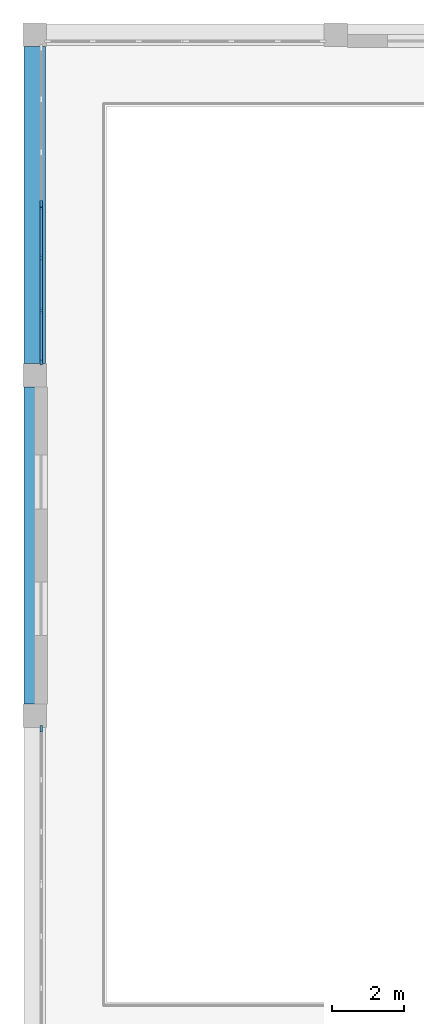
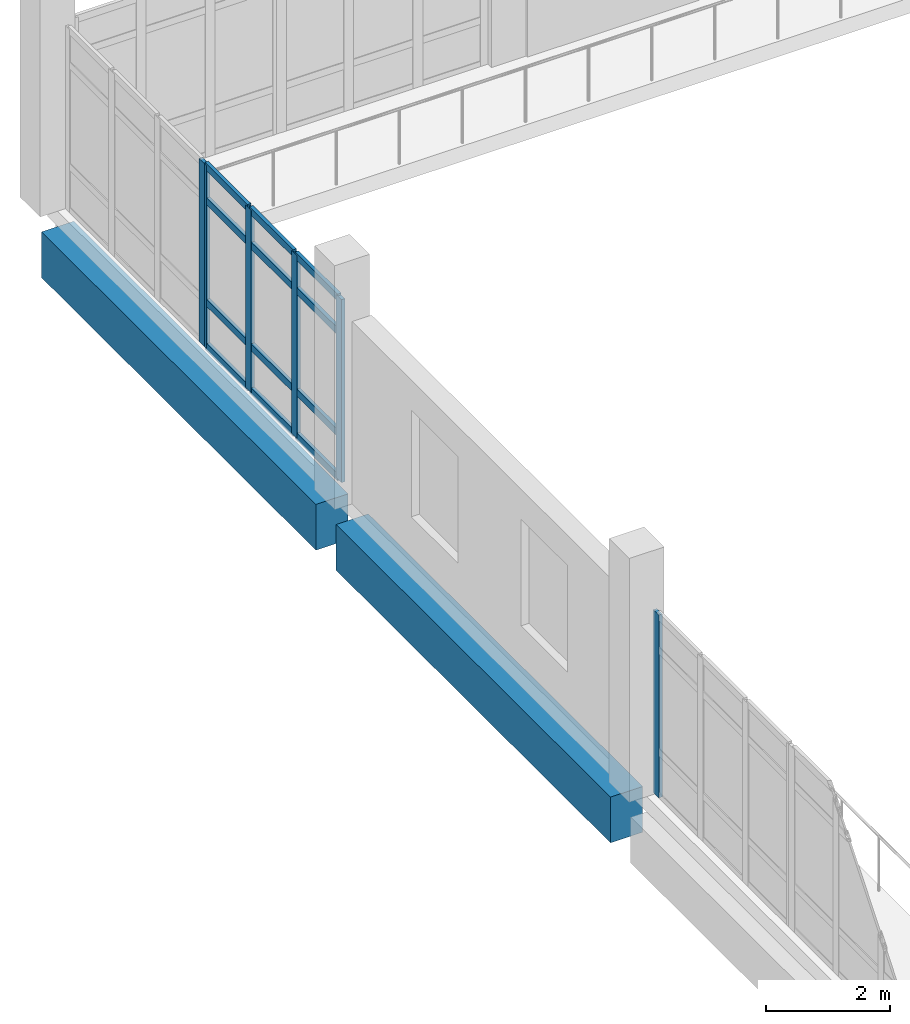
# One storey, part 20 of 73: 18 members, 2 beams, 3 elements without a shape of their own.
"""IFC4 building model written with IfcOpenShell, lengths in metres."""

from ifc_helpers import new_model, si_unit, direction, frame, origin, origin_2d, place, context, subcontext, project, spatial, rectangle, extrude, material, layer, layer_set, material_profile, profile_set, type_object, element, aggregate, save


model = new_model("IFC4")

# Units and contexts
model_context = context("Model", 3, precision=1e-05, world=origin(), true_north=direction((0.0, 1.0)))
body_context = subcontext(model_context, "Body", "Model", "MODEL_VIEW")
ifc_project = project(units=[si_unit("LENGTHUNIT", "METRE"), si_unit("AREAUNIT", "SQUARE_METRE"), si_unit("VOLUMEUNIT", "CUBIC_METRE"), si_unit("PLANEANGLEUNIT", "RADIAN"), si_unit("MASSUNIT", "GRAM", prefix="KILO")], contexts=[model_context])

# Site, building, storey
site_placement = place(None, origin())
site = spatial("IfcSite", under=ifc_project, at=site_placement, CompositionType="ELEMENT")
building_placement = place(site_placement, origin())
building = spatial("IfcBuilding", under=site, at=building_placement, Name="Kelarvand Opera House", CompositionType="ELEMENT")
storey_placement = place(building_placement, frame((0.0, 0.0, 10.199951171875)))
storey = spatial("IfcBuildingStorey", under=building, at=storey_placement, Name="L02", CompositionType="ELEMENT", Elevation=10.199951171875)

# Curtain wall, member
ifc_material_1 = material(Name="Thermally broken aluminium and low-E glazing", Category="aluminium")
ifc_layer_1 = layer(ifc_material_1, 0.179931640625, Name="Thermally broken aluminium and low-E glazing", Category="aluminium")
ifc_layer_set_1 = layer_set([ifc_layer_1], Name="Thermally broken aluminium and low-E glazing")
curtain_wall_type_1 = type_object("IfcCurtainWallType", Name="Unitised Low-E Curtain Wall 4326x3600 Mod 1350 CWF-15", PredefinedType="USERDEFINED", material=ifc_layer_set_1)
curtain_wall_1_placement = place(storey_placement, origin())
curtain_wall_1 = element("IfcCurtainWall", 1, at=curtain_wall_1_placement, inside=storey, type_object=curtain_wall_type_1, Name="V3 L02 Curtain Wall CWF-15 (78)", ObjectType="UNITISED CURTAIN WALL", PredefinedType="USERDEFINED")
ifc_material_2 = material(Name="Thermally broken anodised aluminium", Category="aluminium")
ifc_material_profile_1 = material_profile(ifc_material_2, rectangle(XDim=0.06494140625, YDim=0.179931640625, at=origin_2d()), Name="ALU MULLION 65x180", Category="aluminium")
ifc_profile_set_1 = profile_set([ifc_material_profile_1], Name="Thermally broken anodised aluminium")
member_type_1 = type_object("IfcMemberType", Name="Curtain Wall Mullion 65x180 Aluminium", PredefinedType="MULLION", material=ifc_profile_set_1)
member_1_placement = place(storey_placement, frame((9.179931640625, 105.632568359375, 0.0), z_axis=(0.0, 0.0, 1.0), x_axis=(-1.0, 0.0, 0.0)))
member_1 = element("IfcMember", 2, at=member_1_placement, type_object=member_type_1, Name="CWF-15 mullion 4", PredefinedType="MULLION", context=body_context, shape_type="SweptSolid", body=[
    extrude(rectangle(XDim=0.06494140625, YDim=0.179931640625, at=origin_2d()), origin(), (0.0, 0.0, 1.0), 3.60009765625),
])
aggregate(curtain_wall_1, [member_1])

# Curtain wall, members
ifc_layer_2 = layer(ifc_material_1, 0.179931640625, Name="Thermally broken aluminium and low-E glazing", Category="aluminium")
ifc_layer_set_2 = layer_set([ifc_layer_2], Name="Thermally broken aluminium and low-E glazing")
curtain_wall_type_2 = type_object("IfcCurtainWallType", Name="Unitised Low-E Curtain Wall 4411x3600 Mod 1350 CWF-19", PredefinedType="USERDEFINED", material=ifc_layer_set_2)
curtain_wall_2_placement = place(storey_placement, origin())
curtain_wall_2 = element("IfcCurtainWall", 3, at=curtain_wall_2_placement, inside=storey, type_object=curtain_wall_type_2, Name="V3 L02 Curtain Wall CWF-19 (79)", ObjectType="UNITISED CURTAIN WALL", PredefinedType="USERDEFINED")
member_2_placement = place(storey_placement, frame((9.179931640625, 115.867431640625, 0.0), z_axis=(0.0, 0.0, 1.0), x_axis=(-1.0, 0.0, 0.0)))
member_2 = element("IfcMember", 4, at=member_2_placement, type_object=member_type_1, Name="CWF-19 mullion 1", PredefinedType="MULLION", context=body_context, shape_type="SweptSolid", body=[
    extrude(rectangle(XDim=0.06494140625, YDim=0.179931640625, at=origin_2d()), origin(), (0.0, 0.0, 1.0), 3.60009765625),
])
member_3_placement = place(storey_placement, frame((9.179931640625, 117.305419921875, 0.0), z_axis=(0.0, 0.0, 1.0), x_axis=(-1.0, 0.0, 0.0)))
member_3 = element("IfcMember", 5, at=member_3_placement, type_object=member_type_1, Name="CWF-19 mullion 2", PredefinedType="MULLION", context=body_context, shape_type="SweptSolid", body=[
    extrude(rectangle(XDim=0.06494140625, YDim=0.179931640625, at=origin_2d()), origin(), (0.0, 0.0, 1.0), 3.60009765625),
])
member_4_placement = place(storey_placement, frame((9.179931640625, 118.775634765625, 0.0), z_axis=(0.0, 0.0, 1.0), x_axis=(-1.0, 0.0, 0.0)))
member_4 = element("IfcMember", 6, at=member_4_placement, type_object=member_type_1, Name="CWF-19 mullion 3", PredefinedType="MULLION", context=body_context, shape_type="SweptSolid", body=[
    extrude(rectangle(XDim=0.06494140625, YDim=0.179931640625, at=origin_2d()), origin(), (0.0, 0.0, 1.0), 3.60009765625),
])
member_5_placement = place(storey_placement, frame((9.179931640625, 120.21337890625, 0.0), z_axis=(0.0, 0.0, 1.0), x_axis=(-1.0, 0.0, 0.0)))
member_5 = element("IfcMember", 7, at=member_5_placement, type_object=member_type_1, Name="CWF-19 mullion 4", PredefinedType="MULLION", context=body_context, shape_type="SweptSolid", body=[
    extrude(rectangle(XDim=0.06494140625, YDim=0.179931640625, at=origin_2d()), origin(), (0.0, 0.0, 1.0), 3.60009765625),
])

# Curtain wall, member
curtain_wall_3_placement = place(storey_placement, origin())
curtain_wall_3 = element("IfcCurtainWall", 8, at=curtain_wall_3_placement, inside=storey, type_object=curtain_wall_type_2, Name="V3 L02 Curtain Wall CWF-19 (80)", ObjectType="UNITISED CURTAIN WALL", PredefinedType="USERDEFINED")
member_6_placement = place(storey_placement, frame((9.179931640625, 120.282470703125, 0.0), z_axis=(0.0, 0.0, 1.0), x_axis=(-1.0, 0.0, 0.0)))
member_6 = element("IfcMember", 9, at=member_6_placement, type_object=member_type_1, Name="CWF-19 mullion 1", PredefinedType="MULLION", context=body_context, shape_type="SweptSolid", body=[
    extrude(rectangle(XDim=0.06494140625, YDim=0.179931640625, at=origin_2d()), origin(), (0.0, 0.0, 1.0), 3.60009765625),
])
aggregate(curtain_wall_3, [member_6])

# Member
ifc_material_profile_2 = material_profile(ifc_material_2, rectangle(XDim=0.06494140625, YDim=0.139892578125, at=origin_2d()), Name="ALU TRANSOM 65x140", Category="aluminium")
ifc_profile_set_2 = profile_set([ifc_material_profile_2], Name="Thermally broken anodised aluminium")
member_type_2 = type_object("IfcMemberType", Name="Curtain Wall Transom 65x140 Aluminium", PredefinedType="USERDEFINED", material=ifc_profile_set_2)
member_7_placement = place(storey_placement, frame((9.179931640625, 115.89990234375, 0.032470703125), z_axis=(0.0, 1.0, 0.0), x_axis=(-1.0, 0.0, 0.0)))
member_7 = element("IfcMember", 10, at=member_7_placement, type_object=member_type_2, Name="CWF-19 transom 1.1", ObjectType="TRANSOM", PredefinedType="USERDEFINED", context=body_context, shape_type="SweptSolid", body=[
    extrude(rectangle(XDim=0.06494140625, YDim=0.139892578125, at=origin_2d()), origin(), (0.0, 0.0, 1.0), 1.373046875),
])

member_8_placement = place(storey_placement, frame((9.179931640625, 115.89990234375, 0.900146484375), z_axis=(0.0, 1.0, 0.0), x_axis=(-1.0, 0.0, 0.0)))
member_8 = element("IfcMember", 11, at=member_8_placement, type_object=member_type_2, Name="CWF-19 transom 1.2", ObjectType="TRANSOM", PredefinedType="USERDEFINED", context=body_context, shape_type="SweptSolid", body=[
    extrude(rectangle(XDim=0.06494140625, YDim=0.139892578125, at=origin_2d()), origin(), (0.0, 0.0, 1.0), 1.373046875),
])

member_9_placement = place(storey_placement, frame((9.179931640625, 115.89990234375, 2.900146484375), z_axis=(0.0, 1.0, 0.0), x_axis=(-1.0, 0.0, 0.0)))
member_9 = element("IfcMember", 12, at=member_9_placement, type_object=member_type_2, Name="CWF-19 transom 1.3", ObjectType="TRANSOM", PredefinedType="USERDEFINED", context=body_context, shape_type="SweptSolid", body=[
    extrude(rectangle(XDim=0.06494140625, YDim=0.139892578125, at=origin_2d()), origin(), (0.0, 0.0, 1.0), 1.373046875),
])

member_10_placement = place(storey_placement, frame((9.179931640625, 115.89990234375, 3.567626953125), z_axis=(0.0, 1.0, 0.0), x_axis=(-1.0, 0.0, 0.0)))
member_10 = element("IfcMember", 13, at=member_10_placement, type_object=member_type_2, Name="CWF-19 transom 1.4", ObjectType="TRANSOM", PredefinedType="USERDEFINED", context=body_context, shape_type="SweptSolid", body=[
    extrude(rectangle(XDim=0.06494140625, YDim=0.139892578125, at=origin_2d()), origin(), (0.0, 0.0, 1.0), 1.373046875),
])

member_11_placement = place(storey_placement, frame((9.179931640625, 117.337890625, 0.032470703125), z_axis=(0.0, 1.0, 0.0), x_axis=(-1.0, 0.0, 0.0)))
member_11 = element("IfcMember", 14, at=member_11_placement, type_object=member_type_2, Name="CWF-19 transom 2.1", ObjectType="TRANSOM", PredefinedType="USERDEFINED", context=body_context, shape_type="SweptSolid", body=[
    extrude(rectangle(XDim=0.06494140625, YDim=0.139892578125, at=origin_2d()), origin(), (0.0, 0.0, 1.0), 1.4052734375),
])

member_12_placement = place(storey_placement, frame((9.179931640625, 117.337890625, 0.900146484375), z_axis=(0.0, 1.0, 0.0), x_axis=(-1.0, 0.0, 0.0)))
member_12 = element("IfcMember", 15, at=member_12_placement, type_object=member_type_2, Name="CWF-19 transom 2.2", ObjectType="TRANSOM", PredefinedType="USERDEFINED", context=body_context, shape_type="SweptSolid", body=[
    extrude(rectangle(XDim=0.06494140625, YDim=0.139892578125, at=origin_2d()), origin(), (0.0, 0.0, 1.0), 1.4052734375),
])

member_13_placement = place(storey_placement, frame((9.179931640625, 117.337890625, 2.900146484375), z_axis=(0.0, 1.0, 0.0), x_axis=(-1.0, 0.0, 0.0)))
member_13 = element("IfcMember", 16, at=member_13_placement, type_object=member_type_2, Name="CWF-19 transom 2.3", ObjectType="TRANSOM", PredefinedType="USERDEFINED", context=body_context, shape_type="SweptSolid", body=[
    extrude(rectangle(XDim=0.06494140625, YDim=0.139892578125, at=origin_2d()), origin(), (0.0, 0.0, 1.0), 1.4052734375),
])

member_14_placement = place(storey_placement, frame((9.179931640625, 117.337890625, 3.567626953125), z_axis=(0.0, 1.0, 0.0), x_axis=(-1.0, 0.0, 0.0)))
member_14 = element("IfcMember", 17, at=member_14_placement, type_object=member_type_2, Name="CWF-19 transom 2.4", ObjectType="TRANSOM", PredefinedType="USERDEFINED", context=body_context, shape_type="SweptSolid", body=[
    extrude(rectangle(XDim=0.06494140625, YDim=0.139892578125, at=origin_2d()), origin(), (0.0, 0.0, 1.0), 1.4052734375),
])

member_15_placement = place(storey_placement, frame((9.179931640625, 118.80810546875, 0.032470703125), z_axis=(0.0, 1.0, 0.0), x_axis=(-1.0, 0.0, 0.0)))
member_15 = element("IfcMember", 18, at=member_15_placement, type_object=member_type_2, Name="CWF-19 transom 3.1", ObjectType="TRANSOM", PredefinedType="USERDEFINED", context=body_context, shape_type="SweptSolid", body=[
    extrude(rectangle(XDim=0.06494140625, YDim=0.139892578125, at=origin_2d()), origin(), (0.0, 0.0, 1.0), 1.372802734375),
])

member_16_placement = place(storey_placement, frame((9.179931640625, 118.80810546875, 0.900146484375), z_axis=(0.0, 1.0, 0.0), x_axis=(-1.0, 0.0, 0.0)))
member_16 = element("IfcMember", 19, at=member_16_placement, type_object=member_type_2, Name="CWF-19 transom 3.2", ObjectType="TRANSOM", PredefinedType="USERDEFINED", context=body_context, shape_type="SweptSolid", body=[
    extrude(rectangle(XDim=0.06494140625, YDim=0.139892578125, at=origin_2d()), origin(), (0.0, 0.0, 1.0), 1.372802734375),
])

member_17_placement = place(storey_placement, frame((9.179931640625, 118.80810546875, 2.900146484375), z_axis=(0.0, 1.0, 0.0), x_axis=(-1.0, 0.0, 0.0)))
member_17 = element("IfcMember", 20, at=member_17_placement, type_object=member_type_2, Name="CWF-19 transom 3.3", ObjectType="TRANSOM", PredefinedType="USERDEFINED", context=body_context, shape_type="SweptSolid", body=[
    extrude(rectangle(XDim=0.06494140625, YDim=0.139892578125, at=origin_2d()), origin(), (0.0, 0.0, 1.0), 1.372802734375),
])

member_18_placement = place(storey_placement, frame((9.179931640625, 118.80810546875, 3.567626953125), z_axis=(0.0, 1.0, 0.0), x_axis=(-1.0, 0.0, 0.0)))
member_18 = element("IfcMember", 21, at=member_18_placement, type_object=member_type_2, Name="CWF-19 transom 3.4", ObjectType="TRANSOM", PredefinedType="USERDEFINED", context=body_context, shape_type="SweptSolid", body=[
    extrude(rectangle(XDim=0.06494140625, YDim=0.139892578125, at=origin_2d()), origin(), (0.0, 0.0, 1.0), 1.372802734375),
])

aggregate(curtain_wall_2, [member_2, member_3, member_4, member_5, member_7, member_8, member_9, member_10, member_11, member_12, member_13, member_14, member_15, member_16, member_17, member_18])

# Beams
ifc_material_3 = material(Name="Concrete C40/50", Category="concrete")
ifc_material_profile_3 = material_profile(ifc_material_3, rectangle(XDim=0.60009765625, YDim=0.89990234375, at=origin_2d()), Name="RC 600x900", Category="concrete")
ifc_profile_set_3 = profile_set([ifc_material_profile_3], Name="Concrete C40/50")
beam_type = type_object("IfcBeamType", Name="Structural Spandrel RC 600x900 SP-RC600x900E", PredefinedType="SPANDREL", material=ifc_profile_set_3)
for number, where, z_axis, x_axis, name in (
    (22, (9.0, 106.324951171875, -0.75), (0.0, 1.0, 0.0), (-1.0, 0.0, 0.0), "V3 L02 Beam SP-RC600x900E"),
    (23, (9.0, 115.824951171875, -0.75), (0.0, 1.0, 0.0), (-1.0, 0.0, 0.0), "V3 L02 Beam SP-RC600x900E"),
):
    element("IfcBeam", number, at=place(storey_placement, frame(where, z_axis=z_axis, x_axis=x_axis)), inside=storey, type_object=beam_type, Name=name, PredefinedType="SPANDREL", context=body_context, shape_type="SweptSolid", body=[
        extrude(rectangle(XDim=0.60009765625, YDim=0.89990234375, at=origin_2d()), origin(), (0.0, 0.0, 1.0), 8.85009765625),
    ])

save(model, "model.ifc")
